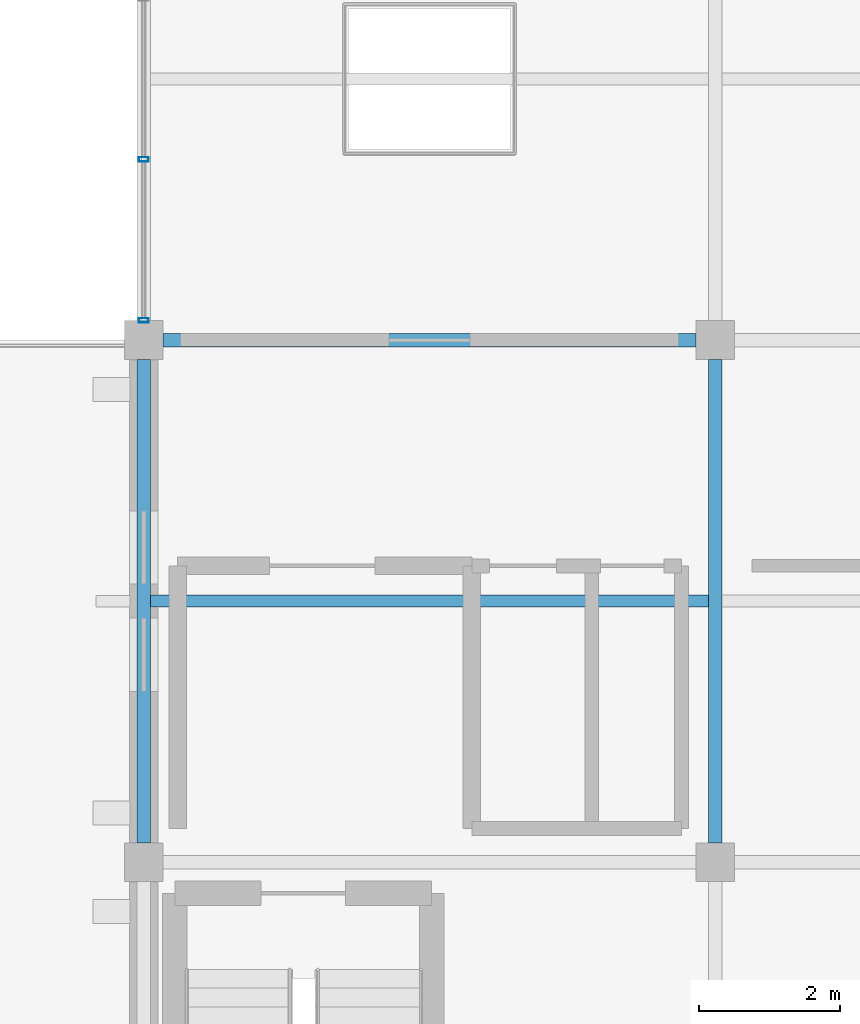
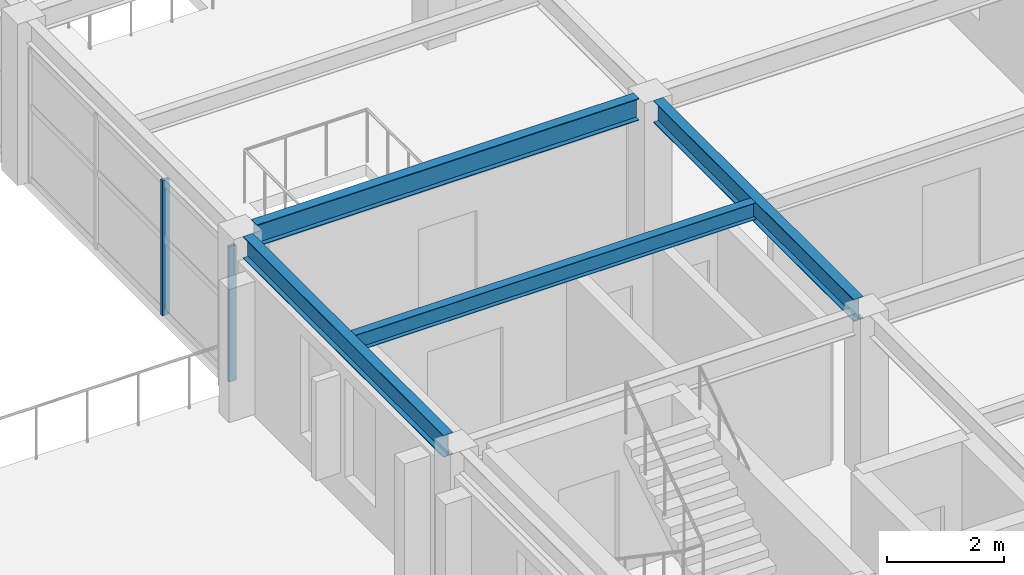
# One storey, part 76 of 121: 4 beams, 2 members, 1 element without a shape of its own.
"""IFC4 building model written with IfcOpenShell, lengths in metres."""

from ifc_helpers import new_model, si_unit, direction, frame, origin, origin_2d, place, context, subcontext, project, spatial, hollow_rectangle, i_section, extrude, material, material_profile, profile_set, type_object, element, aggregate, save


model = new_model("IFC4")

# Units and contexts
model_context = context("Model", 3, precision=1e-05, world=origin(), true_north=direction((0.0, 1.0)))
body_context = subcontext(model_context, "Body", "Model", "MODEL_VIEW")
ifc_project = project(units=[si_unit("LENGTHUNIT", "METRE"), si_unit("AREAUNIT", "SQUARE_METRE"), si_unit("VOLUMEUNIT", "CUBIC_METRE"), si_unit("PLANEANGLEUNIT", "RADIAN"), si_unit("MASSUNIT", "GRAM", prefix="KILO")], contexts=[model_context])

# Site, building, storey
site_placement = place(None, origin())
site = spatial("IfcSite", under=ifc_project, at=site_placement, CompositionType="ELEMENT")
building_placement = place(site_placement, origin())
building = spatial("IfcBuilding", under=site, at=building_placement, Name="Cimatlan Art Gallery", CompositionType="ELEMENT")
storey_placement = place(building_placement, frame((0.0, 0.0, 10.199951171875)))
storey = spatial("IfcBuildingStorey", under=building, at=storey_placement, Name="L02", CompositionType="ELEMENT", Elevation=10.199951171875)

# Beams
ifc_material_1 = material(Name="Steel ASTM A992 Grade 50", Category="steel")
ifc_material_profile_1 = material_profile(ifc_material_1, i_section(OverallWidth=0.1708984375, OverallDepth=0.35107421875, WebThickness=0.0068359375, FlangeThickness=0.009765625, at=origin_2d()), Name="W14X30")
ifc_profile_set_1 = profile_set([ifc_material_profile_1], Name="Steel ASTM A992 Grade 50")
beam_type_1 = type_object("IfcBeamType", Name="BM-STL-W14X30", PredefinedType="JOIST", material=ifc_profile_set_1)
beam_1_placement = place(storey_placement, frame((147.8955078125, 35.0, 3.194580078125), z_axis=(1.0, 0.0, 0.0), x_axis=(0.0, 1.0, 0.0)))
element("IfcBeam", 1, at=beam_1_placement, inside=storey, type_object=beam_type_1, Name="JST-L02-18-04", PredefinedType="JOIST", context=body_context, shape_type="SweptSolid", body=[
    extrude(i_section(OverallWidth=0.1708984375, OverallDepth=0.35107421875, WebThickness=0.0068359375, FlangeThickness=0.009765625, at=origin_2d()), origin(), (0.0, 0.0, 1.0), 7.908935546875),
])
ifc_material_profile_2 = material_profile(ifc_material_1, i_section(OverallWidth=0.19091796875, OverallDepth=0.45703125, WebThickness=0.009033203125, FlangeThickness=0.014404296875, at=origin_2d()), Name="W18X50")
ifc_profile_set_2 = profile_set([ifc_material_profile_2], Name="Steel ASTM A992 Grade 50")
beam_type_2 = type_object("IfcBeamType", Name="BM-STL-W18X50", PredefinedType="BEAM", material=ifc_profile_set_2)
for number, where, z_axis, x_axis, name in (
    (2, (147.800048828125, 31.574951171875, 3.1416015625), (0.0, 1.0, 0.0), (-1.0, 0.0, 0.0), "BM-Y-L02-18-04"),
    (3, (155.89990234375, 31.574951171875, 3.1416015625), (0.0, 1.0, 0.0), (-1.0, 0.0, 0.0), "BM-Y-L02-19-04"),
):
    element("IfcBeam", number, at=place(storey_placement, frame(where, z_axis=z_axis, x_axis=x_axis)), inside=storey, type_object=beam_type_2, Name=name, PredefinedType="BEAM", context=body_context, shape_type="SweptSolid", body=[
        extrude(i_section(OverallWidth=0.19091796875, OverallDepth=0.45703125, WebThickness=0.009033203125, FlangeThickness=0.014404296875, at=origin_2d()), origin(), (0.0, 0.0, 1.0), 6.85009765625),
    ])
beam_2_placement = place(storey_placement, frame((148.074951171875, 38.699951171875, 3.1416015625), z_axis=(1.0, 0.0, 0.0), x_axis=(0.0, 1.0, 0.0)))
element("IfcBeam", 4, at=beam_2_placement, inside=storey, type_object=beam_type_2, Name="BM-X-L02-18-05", PredefinedType="BEAM", context=body_context, shape_type="SweptSolid", body=[
    extrude(i_section(OverallWidth=0.19091796875, OverallDepth=0.45703125, WebThickness=0.009033203125, FlangeThickness=0.014404296875, at=origin_2d()), origin(), (0.0, 0.0, 1.0), 7.550048828125),
])

# Curtain wall, members
ifc_material_2 = material(Name="Anodised bronze unitised curtain wall")
curtain_wall_type = type_object("IfcCurtainWallType", Name="CW-V-06842X02823-B3", PredefinedType="NOTDEFINED", material=ifc_material_2)
curtain_wall_placement = place(storey_placement, origin())
curtain_wall = element("IfcCurtainWall", 5, at=curtain_wall_placement, inside=storey, type_object=curtain_wall_type, Name="CW-L02-18-05-W", PredefinedType="NOTDEFINED")
ifc_material_3 = material(Name="Anodised bronze aluminium 6063-T6", Category="aluminium")
ifc_material_profile_3 = material_profile(ifc_material_3, hollow_rectangle(XDim=0.06494140625, YDim=0.139892578125, WallThickness=0.00390625, at=origin_2d()), Name="ALU65X140X4")
ifc_profile_set_3 = profile_set([ifc_material_profile_3], Name="Anodised bronze aluminium 6063-T6")
member_type = type_object("IfcMemberType", Name="CW-MUL-140", PredefinedType="MULLION", material=ifc_profile_set_3)
member_1_placement = place(storey_placement, frame((147.800048828125, 38.97900390625, 0.0), z_axis=(0.0, 0.0, 1.0), x_axis=(0.0, 1.0, 0.0)))
member_1 = element("IfcMember", 6, at=member_1_placement, type_object=member_type, Name="CW-L02-18-05-W-M1", PredefinedType="MULLION", context=body_context, shape_type="SweptSolid", body=[
    extrude(hollow_rectangle(XDim=0.06494140625, YDim=0.139892578125, WallThickness=0.00390625, at=origin_2d()), origin(), (0.0, 0.0, 1.0), 2.822998046875),
])
member_2_placement = place(storey_placement, frame((147.800048828125, 41.259765625, 0.0), z_axis=(0.0, 0.0, 1.0), x_axis=(0.0, 1.0, 0.0)))
member_2 = element("IfcMember", 7, at=member_2_placement, type_object=member_type, Name="CW-L02-18-05-W-M2", PredefinedType="MULLION", context=body_context, shape_type="SweptSolid", body=[
    extrude(hollow_rectangle(XDim=0.06494140625, YDim=0.139892578125, WallThickness=0.00390625, at=origin_2d()), origin(), (0.0, 0.0, 1.0), 2.822998046875),
])
aggregate(curtain_wall, [member_1, member_2])

save(model, "model.ifc")
